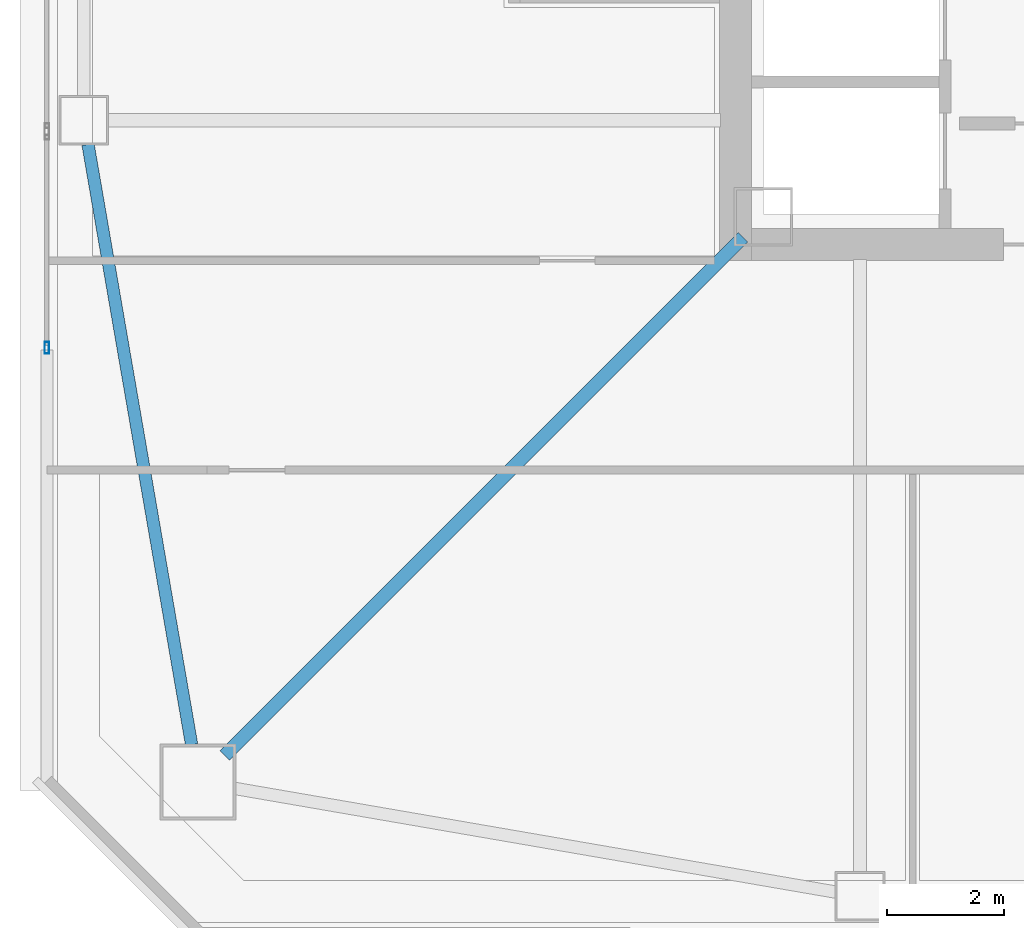
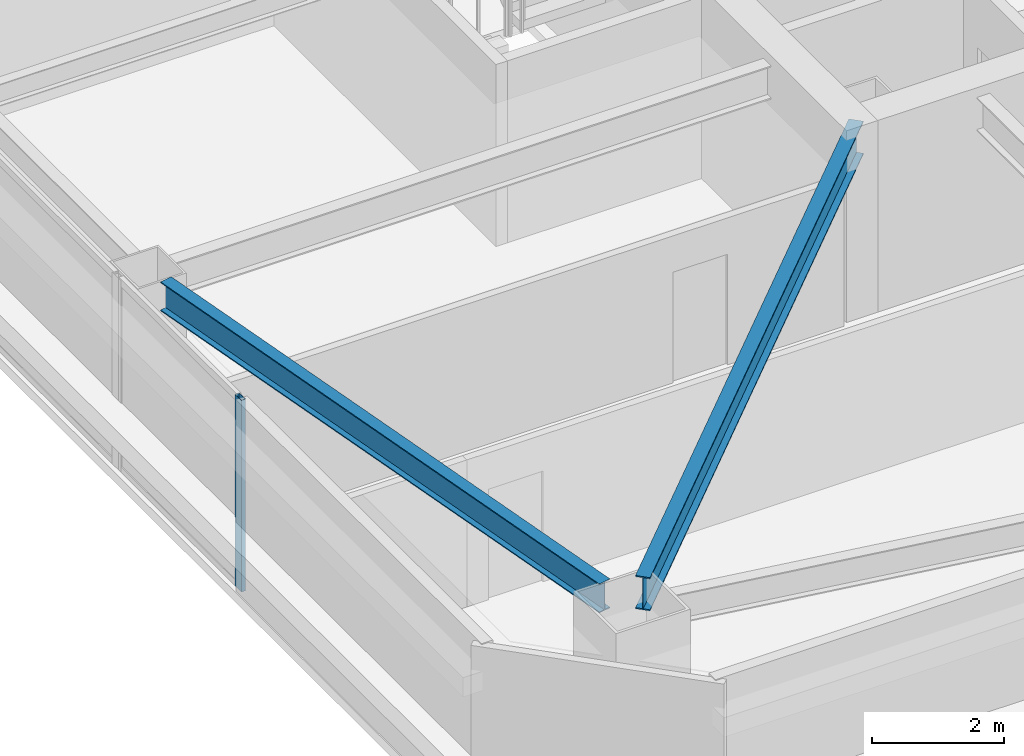
# One storey, part 4 of 41: 2 beams, 1 member, 1 element without a shape of its own.
"""IFC4 building model written with IfcOpenShell, lengths in metres."""

from ifc_helpers import new_model, si_unit, direction, frame, origin, origin_2d, place, context, subcontext, project, spatial, hollow_rectangle, i_section, extrude, material, material_profile, profile_set, type_object, element, aggregate, save


model = new_model("IFC4")

# Units and contexts
model_context = context("Model", 3, precision=1e-05, world=origin(), true_north=direction((0.0, 1.0)))
body_context = subcontext(model_context, "Body", "Model", "MODEL_VIEW")
ifc_project = project(units=[si_unit("LENGTHUNIT", "METRE"), si_unit("AREAUNIT", "SQUARE_METRE"), si_unit("VOLUMEUNIT", "CUBIC_METRE"), si_unit("PLANEANGLEUNIT", "RADIAN"), si_unit("MASSUNIT", "GRAM", prefix="KILO")], contexts=[model_context])

# Site, building, storey
site_placement = place(None, origin())
site = spatial("IfcSite", under=ifc_project, at=site_placement, CompositionType="ELEMENT")
building_placement = place(site_placement, origin())
building = spatial("IfcBuilding", under=site, at=building_placement, Name="Tashvorn Skyway Center", CompositionType="ELEMENT")
storey_placement = place(building_placement, frame((0.0, 0.0, 146.35009765625)))
storey = spatial("IfcBuildingStorey", under=building, at=storey_placement, Name="L39", CompositionType="ELEMENT", Elevation=146.35009765625)

# Beams
ifc_material_1 = material(Name="Steel ASTM A992 Grade 50", Category="steel")
ifc_material_profile_1 = material_profile(ifc_material_1, i_section(OverallWidth=0.22998046875, OverallDepth=0.616943359375, WebThickness=0.01318359375, FlangeThickness=0.022216796875, at=origin_2d()), Name="W24X94")
ifc_profile_set_1 = profile_set([ifc_material_profile_1], Name="Steel ASTM A992 Grade 50")
beam_type_1 = type_object("IfcBeamType", Name="BM-BEAM-W24X94", PredefinedType="BEAM", material=ifc_profile_set_1)
beam_1_placement = place(storey_placement, frame((25.756103515625, 15.756103515625, 3.0615234375), z_axis=(0.707106781187, 0.707106781187, 0.0), x_axis=(-0.707106781187, 0.707106781187, 0.0)))
element("IfcBeam", 1, at=beam_1_placement, inside=storey, type_object=beam_type_1, Name="Tower 1 L39 Primary Floor Girder MC-SW", PredefinedType="BEAM", context=body_context, shape_type="SweptSolid", body=[
    extrude(i_section(OverallWidth=0.22998046875, OverallDepth=0.616943359375, WebThickness=0.01318359375, FlangeThickness=0.022216796875, at=origin_2d()), origin(), (0.0, 0.0, 1.0), 12.50732421875),
])
ifc_material_profile_2 = material_profile(ifc_material_1, i_section(OverallWidth=0.2109375, OverallDepth=0.5390625, WebThickness=0.01171875, FlangeThickness=0.018798828125, at=origin_2d()), Name="W21X73")
ifc_profile_set_2 = profile_set([ifc_material_profile_2], Name="Steel ASTM A992 Grade 50")
beam_type_2 = type_object("IfcBeamType", Name="BM-SPANDREL-W21X73", PredefinedType="SPANDREL", material=ifc_profile_set_2)
beam_2_placement = place(storey_placement, frame((23.42138671875, 26.18603515625, 3.100341796875), z_axis=(0.170067250846, -0.985432458462, 0.0), x_axis=(0.985432458462, 0.170067250846, 0.0)))
element("IfcBeam", 2, at=beam_2_placement, inside=storey, type_object=beam_type_2, Name="Tower 1 L39 Spandrel Beam 12", PredefinedType="SPANDREL", context=body_context, shape_type="SweptSolid", body=[
    extrude(i_section(OverallWidth=0.2109375, OverallDepth=0.5390625, WebThickness=0.01171875, FlangeThickness=0.018798828125, at=origin_2d()), origin(), (0.0, 0.0, 1.0), 10.402099609375),
])

# Curtain wall, member
ifc_material_2 = material(Name="Thermally broken bronze-anodized aluminium 6063-T6", Category="aluminium")
curtain_wall_type = type_object("IfcCurtainWallType", Name="CW-CW-Z3", PredefinedType="NOTDEFINED", material=ifc_material_2)
curtain_wall_placement = place(storey_placement, origin())
curtain_wall = element("IfcCurtainWall", 3, at=curtain_wall_placement, inside=storey, type_object=curtain_wall_type, Name="Tower 1 L39 West Unitised Curtain Wall Glazing Group 1", PredefinedType="NOTDEFINED")
ifc_material_profile_3 = material_profile(ifc_material_2, hollow_rectangle(XDim=0.074951171875, YDim=0.199951171875, WallThickness=0.00439453125, at=origin_2d()), Name="ALU-MULL-75x200")
ifc_profile_set_3 = profile_set([ifc_material_profile_3], Name="Thermally broken bronze-anodized aluminium 6063-T6")
member_type = type_object("IfcMemberType", Name="CWM-CW-Z3", PredefinedType="MULLION", material=ifc_profile_set_3)
member_placement = place(storey_placement, frame((22.719970703125, 22.71533203125, 0.0), z_axis=(0.0, 0.0, 1.0), x_axis=(-1.0, 0.0, 0.0)))
member = element("IfcMember", 4, at=member_placement, type_object=member_type, Name="CW-Z3 mullion 1", PredefinedType="MULLION", context=body_context, shape_type="SweptSolid", body=[
    extrude(hollow_rectangle(XDim=0.074951171875, YDim=0.199951171875, WallThickness=0.00439453125, at=origin_2d()), origin(), (0.0, 0.0, 1.0), 3.5498046875),
])
aggregate(curtain_wall, [member])

save(model, "model.ifc")
